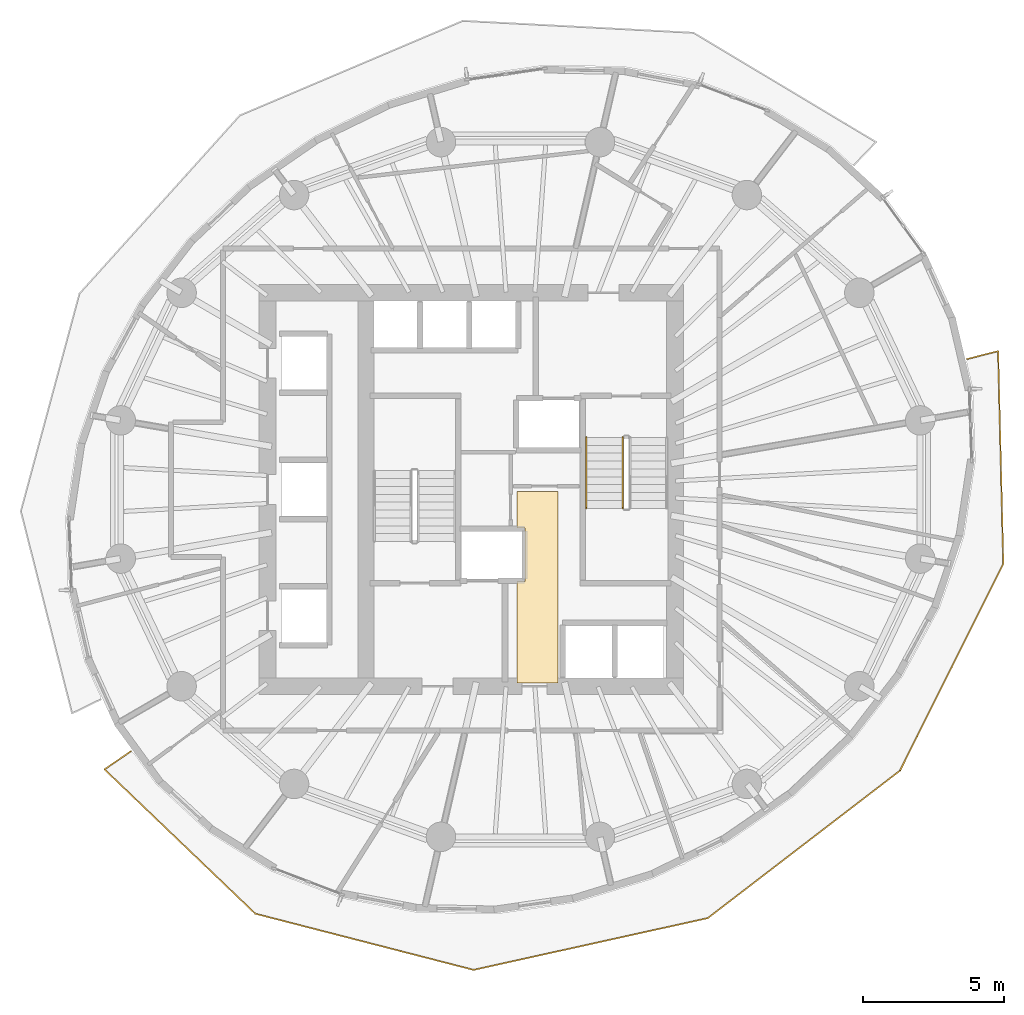
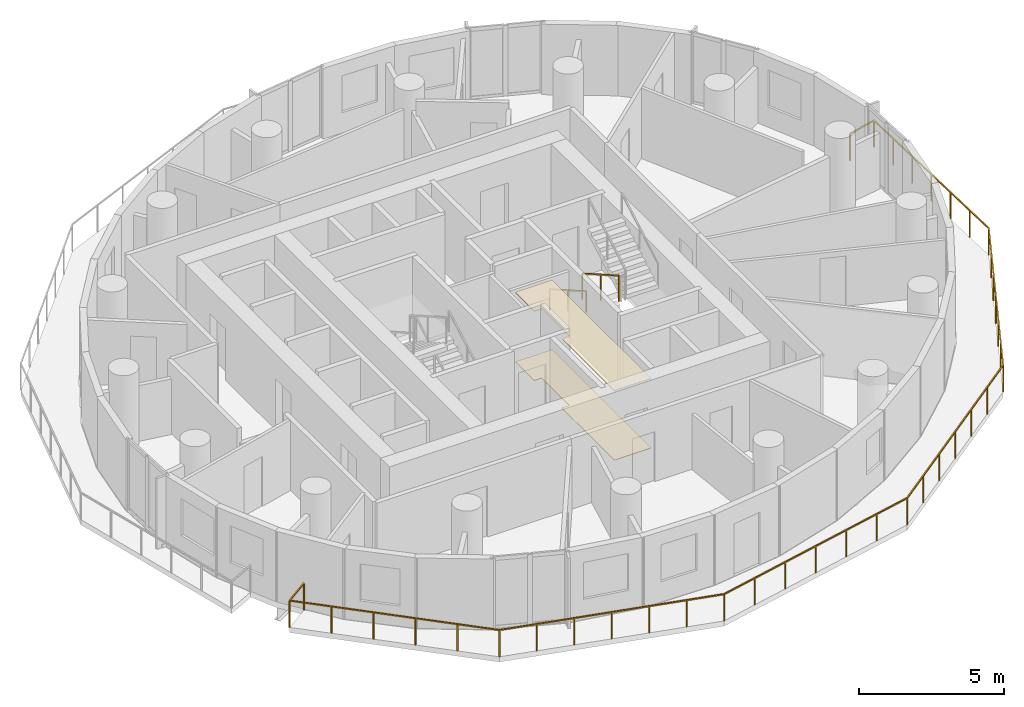
# One storey, part 11 of 14: 3 railings, 2 coverings.
"""IFC4 building model written with IfcOpenShell, lengths in metres."""

from ifc_helpers import new_model, si_unit, direction, frame, origin, origin_2d, place, context, subcontext, project, spatial, polyline, rectangle, outline, extrude, material, layer, layer_set, type_object, element, save


model = new_model("IFC4")

# Units and contexts
model_context = context("Model", 3, precision=1e-05, world=origin(), true_north=direction((0.0, 1.0)))
body_context = subcontext(model_context, "Body", "Model", "MODEL_VIEW")
ifc_project = project(units=[si_unit("LENGTHUNIT", "METRE"), si_unit("AREAUNIT", "SQUARE_METRE"), si_unit("VOLUMEUNIT", "CUBIC_METRE"), si_unit("PLANEANGLEUNIT", "RADIAN"), si_unit("MASSUNIT", "GRAM", prefix="KILO")], contexts=[model_context])

# Site, building, storey
site_placement = place(None, origin())
site = spatial("IfcSite", under=ifc_project, at=site_placement, CompositionType="ELEMENT")
building_placement = place(site_placement, origin())
building = spatial("IfcBuilding", under=site, at=building_placement, Name="Veldorim Arch Residences", CompositionType="ELEMENT")
storey_placement = place(building_placement, frame((0.0, 0.0, 129.760009765625)))
storey = spatial("IfcBuildingStorey", under=building, at=storey_placement, Name="L38", CompositionType="ELEMENT", Elevation=129.760009765625)

# Railings
ifc_material_1 = material(Name="Aluminium", Category="aluminium")
railing_type_1 = type_object("IfcRailingType", Name="Balcony & Terrace Laminated Glass Balustrade 1150", PredefinedType="BALUSTRADE", material=ifc_material_1)
railing_1_placement = place(storey_placement, frame((18.147216796875, 14.69287109375, 0.0)))
element("IfcRailing", 1, at=railing_1_placement, inside=storey, type_object=railing_type_1, Name="L38 crescent balcony safety balustrade B", PredefinedType="BALUSTRADE", context=body_context, shape_type="SweptSolid", body=[
    extrude(rectangle(XDim=0.048095703125, YDim=0.048095703125, at=origin_2d()), frame((0.0, 0.0, 1.1259765625), z_axis=(-0.824728851846, -0.565528355552, 0.0), x_axis=(0.565528355552, -0.824728851846, 0.0)), (0.0, 0.0, 1.0), 1.150146484375),
    extrude(rectangle(XDim=0.048095703125, YDim=0.048095703125, at=origin_2d()), frame((-0.948486328125, -0.650390625, 1.1259765625), z_axis=(0.722399864127, -0.691475550045, 0.0), x_axis=(0.691475550045, 0.722399864127, 0.0)), (0.0, 0.0, 1.0), 7.428955078125),
    extrude(rectangle(XDim=0.048095703125, YDim=0.048095703125, at=origin_2d()), frame((4.418212890625, -5.787353515625, 1.1259765625), z_axis=(0.968423038442, -0.249312692448, 0.0), x_axis=(0.249312692448, 0.968423038442, 0.0)), (0.0, 0.0, 1.0), 8.02001953125),
    extrude(rectangle(XDim=0.048095703125, YDim=0.048095703125, at=origin_2d()), frame((12.18505859375, -7.786865234375, 1.1259765625), z_axis=(0.976416740218, 0.215894301503, 0.0), x_axis=(-0.215894301503, 0.976416740218, 0.0)), (0.0, 0.0, 1.0), 8.533203125),
    extrude(rectangle(XDim=0.048095703125, YDim=0.048095703125, at=origin_2d()), frame((20.51708984375, -5.944580078125, 1.1259765625), z_axis=(0.793408539041, 0.608689485844, 0.0), x_axis=(-0.608689485844, 0.793408539041, 0.0)), (0.0, 0.0, 1.0), 8.622802734375),
    extrude(rectangle(XDim=0.048095703125, YDim=0.048095703125, at=origin_2d()), frame((27.3583984375, -0.696044921875, 1.1259765625), z_axis=(0.446987874806, 0.894540015749, 0.0), x_axis=(-0.894540015749, 0.446987874806, 0.0)), (0.0, 0.0, 1.0), 8.220703125),
    extrude(rectangle(XDim=0.048095703125, YDim=0.048095703125, at=origin_2d()), frame((31.032958984375, 6.65771484375, 1.1259765625), z_axis=(-0.024331146164, 0.999703953842, 0.0), x_axis=(-0.999703953842, -0.024331146164, 0.0)), (0.0, 0.0, 1.0), 7.57568359375),
    extrude(rectangle(XDim=0.048095703125, YDim=0.048095703125, at=origin_2d()), frame((30.8486328125, 14.231201171875, 1.1259765625), z_axis=(-0.969033465083, -0.246929430301, 0.0), x_axis=(0.246929430301, -0.969033465083, 0.0)), (0.0, 0.0, 1.0), 1.14990234375),
    extrude(rectangle(XDim=0.0419921875, YDim=0.0419921875, at=origin_2d()), origin(), (0.0, 0.0, 1.0), 1.101806640625),
    extrude(rectangle(XDim=0.0419921875, YDim=0.0419921875, at=origin_2d()), frame((-0.948486328125, -0.650390625, 0.0)), (0.0, 0.0, 1.0), 1.101806640625),
    extrude(rectangle(XDim=0.0419921875, YDim=0.0419921875, at=origin_2d()), frame((0.124755859375, -1.677734375, 0.0)), (0.0, 0.0, 1.0), 1.101806640625),
    extrude(rectangle(XDim=0.0419921875, YDim=0.0419921875, at=origin_2d()), frame((1.1982421875, -2.705078125, 0.0)), (0.0, 0.0, 1.0), 1.101806640625),
    extrude(rectangle(XDim=0.0419921875, YDim=0.0419921875, at=origin_2d()), frame((2.271484375, -3.732666015625, 0.0)), (0.0, 0.0, 1.0), 1.101806640625),
    extrude(rectangle(XDim=0.0419921875, YDim=0.0419921875, at=origin_2d()), frame((3.344970703125, -4.760009765625, 0.0)), (0.0, 0.0, 1.0), 1.101806640625),
    extrude(rectangle(XDim=0.0419921875, YDim=0.0419921875, at=origin_2d()), frame((4.418212890625, -5.787353515625, 0.0)), (0.0, 0.0, 1.0), 1.101806640625),
    extrude(rectangle(XDim=0.0419921875, YDim=0.0419921875, at=origin_2d()), frame((5.712646484375, -6.12060546875, 0.0)), (0.0, 0.0, 1.0), 1.101806640625),
    extrude(rectangle(XDim=0.0419921875, YDim=0.0419921875, at=origin_2d()), frame((7.007080078125, -6.453857421875, 0.0)), (0.0, 0.0, 1.0), 1.101806640625),
    extrude(rectangle(XDim=0.0419921875, YDim=0.0419921875, at=origin_2d()), frame((8.3017578125, -6.787109375, 0.0)), (0.0, 0.0, 1.0), 1.101806640625),
    extrude(rectangle(XDim=0.0419921875, YDim=0.0419921875, at=origin_2d()), frame((9.59619140625, -7.120361328125, 0.0)), (0.0, 0.0, 1.0), 1.101806640625),
    extrude(rectangle(XDim=0.0419921875, YDim=0.0419921875, at=origin_2d()), frame((10.890625, -7.45361328125, 0.0)), (0.0, 0.0, 1.0), 1.101806640625),
    extrude(rectangle(XDim=0.0419921875, YDim=0.0419921875, at=origin_2d()), frame((12.18505859375, -7.786865234375, 0.0)), (0.0, 0.0, 1.0), 1.101806640625),
    extrude(rectangle(XDim=0.0419921875, YDim=0.0419921875, at=origin_2d()), frame((13.57373046875, -7.479736328125, 0.0)), (0.0, 0.0, 1.0), 1.101806640625),
    extrude(rectangle(XDim=0.0419921875, YDim=0.0419921875, at=origin_2d()), frame((14.96240234375, -7.1728515625, 0.0)), (0.0, 0.0, 1.0), 1.101806640625),
    extrude(rectangle(XDim=0.0419921875, YDim=0.0419921875, at=origin_2d()), frame((16.35107421875, -6.86572265625, 0.0)), (0.0, 0.0, 1.0), 1.101806640625),
    extrude(rectangle(XDim=0.0419921875, YDim=0.0419921875, at=origin_2d()), frame((17.73974609375, -6.55859375, 0.0)), (0.0, 0.0, 1.0), 1.101806640625),
    extrude(rectangle(XDim=0.0419921875, YDim=0.0419921875, at=origin_2d()), frame((19.12841796875, -6.251708984375, 0.0)), (0.0, 0.0, 1.0), 1.101806640625),
    extrude(rectangle(XDim=0.0419921875, YDim=0.0419921875, at=origin_2d()), frame((20.51708984375, -5.944580078125, 0.0)), (0.0, 0.0, 1.0), 1.101806640625),
    extrude(rectangle(XDim=0.0419921875, YDim=0.0419921875, at=origin_2d()), frame((21.6572265625, -5.06982421875, 0.0)), (0.0, 0.0, 1.0), 1.101806640625),
    extrude(rectangle(XDim=0.0419921875, YDim=0.0419921875, at=origin_2d()), frame((22.797607421875, -4.195068359375, 0.0)), (0.0, 0.0, 1.0), 1.101806640625),
    extrude(rectangle(XDim=0.0419921875, YDim=0.0419921875, at=origin_2d()), frame((23.937744140625, -3.3203125, 0.0)), (0.0, 0.0, 1.0), 1.101806640625),
    extrude(rectangle(XDim=0.0419921875, YDim=0.0419921875, at=origin_2d()), frame((25.077880859375, -2.445556640625, 0.0)), (0.0, 0.0, 1.0), 1.101806640625),
    extrude(rectangle(XDim=0.0419921875, YDim=0.0419921875, at=origin_2d()), frame((26.21826171875, -1.57080078125, 0.0)), (0.0, 0.0, 1.0), 1.101806640625),
    extrude(rectangle(XDim=0.0419921875, YDim=0.0419921875, at=origin_2d()), frame((27.3583984375, -0.696044921875, 0.0)), (0.0, 0.0, 1.0), 1.101806640625),
    extrude(rectangle(XDim=0.0419921875, YDim=0.0419921875, at=origin_2d()), frame((27.970703125, 0.529541015625, 0.0)), (0.0, 0.0, 1.0), 1.101806640625),
    extrude(rectangle(XDim=0.0419921875, YDim=0.0419921875, at=origin_2d()), frame((28.583251953125, 1.755126953125, 0.0)), (0.0, 0.0, 1.0), 1.101806640625),
    extrude(rectangle(XDim=0.0419921875, YDim=0.0419921875, at=origin_2d()), frame((29.19580078125, 2.98095703125, 0.0)), (0.0, 0.0, 1.0), 1.101806640625),
    extrude(rectangle(XDim=0.0419921875, YDim=0.0419921875, at=origin_2d()), frame((29.80810546875, 4.20654296875, 0.0)), (0.0, 0.0, 1.0), 1.101806640625),
    extrude(rectangle(XDim=0.0419921875, YDim=0.0419921875, at=origin_2d()), frame((30.42041015625, 5.43212890625, 0.0)), (0.0, 0.0, 1.0), 1.101806640625),
    extrude(rectangle(XDim=0.0419921875, YDim=0.0419921875, at=origin_2d()), frame((31.032958984375, 6.65771484375, 0.0)), (0.0, 0.0, 1.0), 1.101806640625),
    extrude(rectangle(XDim=0.0419921875, YDim=0.0419921875, at=origin_2d()), frame((31.002197265625, 7.919921875, 0.0)), (0.0, 0.0, 1.0), 1.101806640625),
    extrude(rectangle(XDim=0.0419921875, YDim=0.0419921875, at=origin_2d()), frame((30.971435546875, 9.18212890625, 0.0)), (0.0, 0.0, 1.0), 1.101806640625),
    extrude(rectangle(XDim=0.0419921875, YDim=0.0419921875, at=origin_2d()), frame((30.94091796875, 10.4443359375, 0.0)), (0.0, 0.0, 1.0), 1.101806640625),
    extrude(rectangle(XDim=0.0419921875, YDim=0.0419921875, at=origin_2d()), frame((30.91015625, 11.706787109375, 0.0)), (0.0, 0.0, 1.0), 1.101806640625),
    extrude(rectangle(XDim=0.0419921875, YDim=0.0419921875, at=origin_2d()), frame((30.87939453125, 12.968994140625, 0.0)), (0.0, 0.0, 1.0), 1.101806640625),
    extrude(rectangle(XDim=0.0419921875, YDim=0.0419921875, at=origin_2d()), frame((30.8486328125, 14.231201171875, 0.0)), (0.0, 0.0, 1.0), 1.101806640625),
    extrude(rectangle(XDim=0.0419921875, YDim=0.0419921875, at=origin_2d()), frame((29.734375, 13.947265625, 0.0)), (0.0, 0.0, 1.0), 1.101806640625),
])
ifc_material_2 = material(Name="Steel S355", Category="steel")
railing_type_2 = type_object("IfcRailingType", Name="Galvanised Steel Stair Safety Guardrail 1100", PredefinedType="GUARDRAIL", material=ifc_material_2)
railing_2_placement = place(storey_placement, frame((35.639892578125, 25.85009765625, 0.159912109375)))
element("IfcRailing", 2, at=railing_2_placement, inside=storey, type_object=railing_type_2, Name="L38 ST-2 stair guard 1", PredefinedType="GUARDRAIL", context=body_context, shape_type="SweptSolid", body=[
    extrude(rectangle(XDim=0.048095703125, YDim=0.048095703125, at=origin_2d()), frame((0.0, 0.0, 1.076171875), z_axis=(0.0, -0.868217259934, 0.496184229447), x_axis=(1.0, 0.0, 0.0)), (0.0, 0.0, 1.0), 2.902587890625),
    extrude(rectangle(XDim=0.0419921875, YDim=0.0419921875, at=origin_2d()), origin(), (0.0, 0.0, 1.0), 1.052001953125),
    extrude(rectangle(XDim=0.0419921875, YDim=0.0419921875, at=origin_2d()), frame((0.0, -1.260009765625, 0.72021484375)), (0.0, 0.0, 1.0), 1.052001953125),
    extrude(rectangle(XDim=0.0419921875, YDim=0.0419921875, at=origin_2d()), frame((0.0, -2.52001953125, 1.440185546875)), (0.0, 0.0, 1.0), 1.052001953125),
])

# Coverings
ifc_material_3 = material(Name="Acoustic Gypsum & Mineral Fibre", Category="gypsum")
ifc_layer_1 = layer(ifc_material_3, 0.034912109375, Name="Perforated Acoustic Mineral-Fibre Ceiling 35")
ifc_layer_set_1 = layer_set([ifc_layer_1], Name="Acoustic Gypsum & Mineral Fibre")
covering_type_1 = type_object("IfcCoveringType", Name="Perforated Acoustic Mineral-Fibre Ceiling 35", PredefinedType="CEILING", material=ifc_layer_set_1)
covering_1_placement = place(storey_placement, frame((0.0, 0.0, 2.905029296875)))
element("IfcCovering", 3, at=covering_1_placement, inside=storey, type_object=covering_type_1, Name="L38 acoustic suspended ceiling 01", PredefinedType="CEILING", context=body_context, shape_type="SweptSolid", body=[
    extrude(outline(polyline([(33.330078125, 23.929931640625), (33.330078125, 17.1201171875), (31.8701171875, 17.1201171875), (31.8701171875, 20.735107421875), (32.169921875, 20.735107421875), (32.169921875, 22.625), (31.8701171875, 22.625), (31.8701171875, 23.929931640625), (33.330078125, 23.929931640625)])), origin(), (0.0, 0.0, 1.0), 0.034912109375),
])
ifc_material_4 = material(Name="Porcelain Ceramic Tile", Category="ceramic")
ifc_layer_2 = layer(ifc_material_4, 0.02001953125, Name="Slip-Resistant Porcelain & Vinyl Floor Finish 20")
ifc_layer_set_2 = layer_set([ifc_layer_2], Name="Porcelain Ceramic Tile")
covering_type_2 = type_object("IfcCoveringType", Name="Slip-Resistant Porcelain & Vinyl Floor Finish 20", PredefinedType="FLOORING", material=ifc_layer_set_2)
covering_2_placement = place(storey_placement, origin())
element("IfcCovering", 4, at=covering_2_placement, inside=storey, type_object=covering_type_2, Name="L38 porcelain floor finish 01", PredefinedType="FLOORING", context=body_context, shape_type="SweptSolid", body=[
    extrude(outline(polyline([(33.330078125, 23.929931640625), (33.330078125, 17.1201171875), (31.8701171875, 17.1201171875), (31.8701171875, 20.735107421875), (32.169921875, 20.735107421875), (32.169921875, 22.625), (31.8701171875, 22.625), (31.8701171875, 23.929931640625), (33.330078125, 23.929931640625)])), origin(), (0.0, 0.0, 1.0), 0.02001953125),
])

# Railing
ifc_material_5 = material(Name="Stainless Steel", Category="steel")
railing_type_3 = type_object("IfcRailingType", Name="Tubular Steel Continuous Wall Handrail 900", PredefinedType="HANDRAIL", material=ifc_material_5)
railing_3_placement = place(storey_placement, frame((34.340087890625, 25.85009765625, 0.159912109375)))
element("IfcRailing", 5, at=railing_3_placement, inside=storey, type_object=railing_type_3, Name="L38 ST-2 stair handrail 1", PredefinedType="HANDRAIL", context=body_context, shape_type="SweptSolid", body=[
    extrude(rectangle(XDim=0.048095703125, YDim=0.048095703125, at=origin_2d()), frame((0.0, 0.0, 0.8759765625), z_axis=(0.0, -0.868217259934, 0.496184229447), x_axis=(1.0, 0.0, 0.0)), (0.0, 0.0, 1.0), 2.902587890625),
    extrude(rectangle(XDim=0.0419921875, YDim=0.0419921875, at=origin_2d()), origin(), (0.0, 0.0, 1.0), 0.851806640625),
    extrude(rectangle(XDim=0.0419921875, YDim=0.0419921875, at=origin_2d()), frame((0.0, -1.260009765625, 0.72021484375)), (0.0, 0.0, 1.0), 0.851806640625),
    extrude(rectangle(XDim=0.0419921875, YDim=0.0419921875, at=origin_2d()), frame((0.0, -2.52001953125, 1.440185546875)), (0.0, 0.0, 1.0), 0.851806640625),
])

save(model, "model.ifc")
